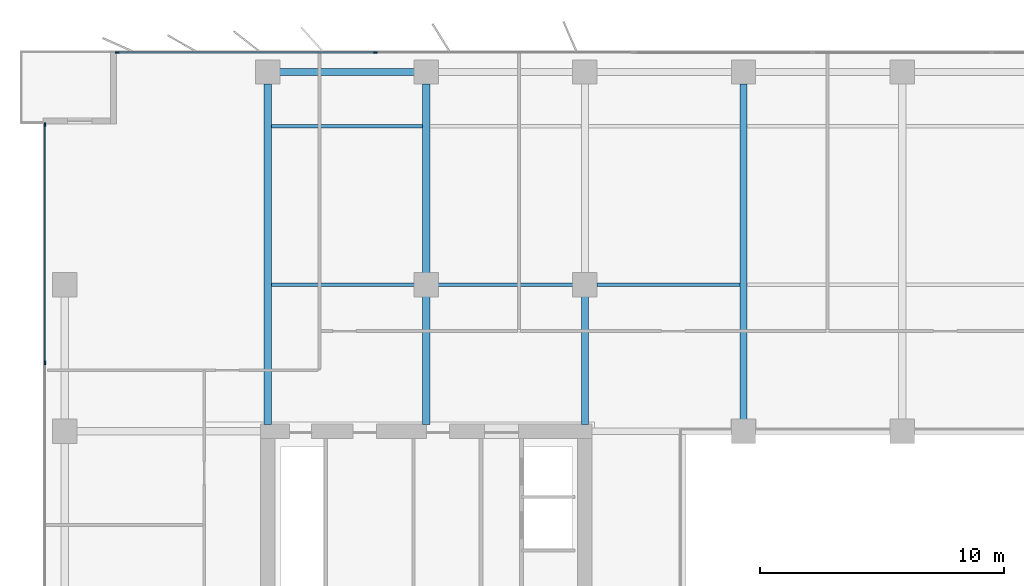
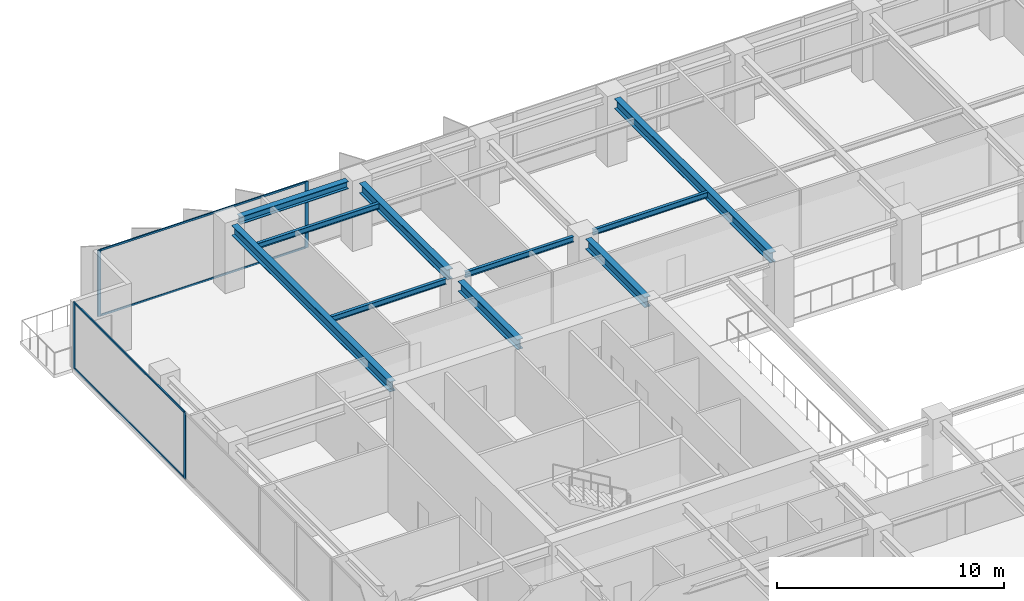
# One storey, part 8 of 22: 10 beams, 8 members, 2 elements without a shape of their own.
"""IFC4 building model written with IfcOpenShell, lengths in metres."""

from ifc_helpers import new_model, si_unit, direction, frame, origin, origin_2d, place, context, subcontext, project, spatial, rectangle, i_section, extrude, material, layer, layer_set, material_profile, profile_set, type_object, element, aggregate, save


model = new_model("IFC4")

# Units and contexts
model_context = context("Model", 3, precision=1e-05, world=origin(), true_north=direction((0.0, 1.0)))
body_context = subcontext(model_context, "Body", "Model", "MODEL_VIEW")
ifc_project = project(units=[si_unit("LENGTHUNIT", "METRE"), si_unit("AREAUNIT", "SQUARE_METRE"), si_unit("VOLUMEUNIT", "CUBIC_METRE"), si_unit("PLANEANGLEUNIT", "RADIAN"), si_unit("MASSUNIT", "GRAM", prefix="KILO")], contexts=[model_context])

# Site, building, storey
site_placement = place(None, origin())
site = spatial("IfcSite", under=ifc_project, at=site_placement, CompositionType="ELEMENT")
building_placement = place(site_placement, origin())
building = spatial("IfcBuilding", under=site, at=building_placement, Name="Putna Gate Headquarters", CompositionType="ELEMENT")
storey_placement = place(building_placement, frame((0.0, 0.0, 155.60009765625)))
storey = spatial("IfcBuildingStorey", under=building, at=storey_placement, Name="L38", CompositionType="ELEMENT", Elevation=155.60009765625)

# Beams
ifc_material_1 = material(Name="Steel S355J2", Category="steel")
ifc_material_profile_1 = material_profile(ifc_material_1, i_section(OverallWidth=0.300048828125, OverallDepth=0.550048828125, WebThickness=0.014892578125, FlangeThickness=0.029052734375, at=origin_2d()), Name="Steel S355J2")
ifc_profile_set_1 = profile_set([ifc_material_profile_1], Name="Steel S355J2")
beam_type_1 = type_object("IfcBeamType", Name="BM-GIRD-Z3-HEB550", PredefinedType="USERDEFINED", material=ifc_profile_set_1)
beam_1_placement = place(storey_placement, frame((13.0, 33.284912109375, 3.296875), z_axis=(0.0, 1.0, 0.0), x_axis=(-1.0, 0.0, 0.0)))
element("IfcBeam", 1, at=beam_1_placement, inside=storey, type_object=beam_type_1, Name="L38 North Primary Girder X13", ObjectType="GIRDER", PredefinedType="USERDEFINED", context=body_context, shape_type="SweptSolid", body=[
    extrude(i_section(OverallWidth=0.300048828125, OverallDepth=0.550048828125, WebThickness=0.014892578125, FlangeThickness=0.029052734375, at=origin_2d()), origin(), (0.0, 0.0, 1.0), 13.947021484375),
])
beam_2_placement = place(storey_placement, frame((19.5, 33.284912109375, 3.296875), z_axis=(0.0, 1.0, 0.0), x_axis=(-1.0, 0.0, 0.0)))
element("IfcBeam", 2, at=beam_2_placement, inside=storey, type_object=beam_type_1, Name="L38 North Primary Girder X19-1", ObjectType="GIRDER", PredefinedType="USERDEFINED", context=body_context, shape_type="SweptSolid", body=[
    extrude(i_section(OverallWidth=0.300048828125, OverallDepth=0.550048828125, WebThickness=0.014892578125, FlangeThickness=0.029052734375, at=origin_2d()), origin(), (0.0, 0.0, 1.0), 5.22705078125),
])
beam_3_placement = place(storey_placement, frame((19.5, 39.488037109375, 3.296875), z_axis=(0.0, 1.0, 0.0), x_axis=(-1.0, 0.0, 0.0)))
element("IfcBeam", 3, at=beam_3_placement, inside=storey, type_object=beam_type_1, Name="L38 North Primary Girder X19-2", ObjectType="GIRDER", PredefinedType="USERDEFINED", context=body_context, shape_type="SweptSolid", body=[
    extrude(i_section(OverallWidth=0.300048828125, OverallDepth=0.550048828125, WebThickness=0.014892578125, FlangeThickness=0.029052734375, at=origin_2d()), origin(), (0.0, 0.0, 1.0), 7.743896484375),
])
beam_4_placement = place(storey_placement, frame((26.0, 33.284912109375, 3.296875), z_axis=(0.0, 1.0, 0.0), x_axis=(-1.0, 0.0, 0.0)))
element("IfcBeam", 4, at=beam_4_placement, inside=storey, type_object=beam_type_1, Name="L38 North Primary Girder X26-1", ObjectType="GIRDER", PredefinedType="USERDEFINED", context=body_context, shape_type="SweptSolid", body=[
    extrude(i_section(OverallWidth=0.300048828125, OverallDepth=0.550048828125, WebThickness=0.014892578125, FlangeThickness=0.029052734375, at=origin_2d()), origin(), (0.0, 0.0, 1.0), 5.22705078125),
])
beam_5_placement = place(storey_placement, frame((32.5, 33.488037109375, 3.296875), z_axis=(0.0, 1.0, 0.0), x_axis=(-1.0, 0.0, 0.0)))
element("IfcBeam", 5, at=beam_5_placement, inside=storey, type_object=beam_type_1, Name="L38 North Primary Girder X32", ObjectType="GIRDER", PredefinedType="USERDEFINED", context=body_context, shape_type="SweptSolid", body=[
    extrude(i_section(OverallWidth=0.300048828125, OverallDepth=0.550048828125, WebThickness=0.014892578125, FlangeThickness=0.029052734375, at=origin_2d()), origin(), (0.0, 0.0, 1.0), 13.743896484375),
])
ifc_material_profile_2 = material_profile(ifc_material_1, i_section(OverallWidth=0.14990234375, OverallDepth=0.300048828125, WebThickness=0.007080078125, FlangeThickness=0.0107421875, at=origin_2d()), Name="Steel S355J2")
ifc_profile_set_2 = profile_set([ifc_material_profile_2], Name="Steel S355J2")
beam_type_2 = type_object("IfcBeamType", Name="BM-SEC-Z3-IPE300", PredefinedType="JOIST", material=ifc_profile_set_2)
beam_6_placement = place(storey_placement, frame((13.154052734375, 39.0, 3.421875), z_axis=(1.0, 0.0, 0.0), x_axis=(0.0, 1.0, 0.0)))
element("IfcBeam", 6, at=beam_6_placement, inside=storey, type_object=beam_type_2, Name="L38 North Secondary Beam 1", PredefinedType="JOIST", context=body_context, shape_type="SweptSolid", body=[
    extrude(i_section(OverallWidth=0.14990234375, OverallDepth=0.300048828125, WebThickness=0.007080078125, FlangeThickness=0.0107421875, at=origin_2d()), origin(), (0.0, 0.0, 1.0), 5.85791015625),
])
beam_7_placement = place(storey_placement, frame((13.154052734375, 45.5, 3.421875), z_axis=(1.0, 0.0, 0.0), x_axis=(0.0, 1.0, 0.0)))
element("IfcBeam", 7, at=beam_7_placement, inside=storey, type_object=beam_type_2, Name="L38 North Secondary Beam 1", PredefinedType="JOIST", context=body_context, shape_type="SweptSolid", body=[
    extrude(i_section(OverallWidth=0.14990234375, OverallDepth=0.300048828125, WebThickness=0.007080078125, FlangeThickness=0.0107421875, at=origin_2d()), origin(), (0.0, 0.0, 1.0), 6.19189453125),
])
beam_8_placement = place(storey_placement, frame((19.988037109375, 39.0, 3.421875), z_axis=(1.0, 0.0, 0.0), x_axis=(0.0, 1.0, 0.0)))
element("IfcBeam", 8, at=beam_8_placement, inside=storey, type_object=beam_type_2, Name="L38 North Secondary Beam 2", PredefinedType="JOIST", context=body_context, shape_type="SweptSolid", body=[
    extrude(i_section(OverallWidth=0.14990234375, OverallDepth=0.300048828125, WebThickness=0.007080078125, FlangeThickness=0.0107421875, at=origin_2d()), origin(), (0.0, 0.0, 1.0), 5.52392578125),
])
beam_9_placement = place(storey_placement, frame((26.488037109375, 39.0, 3.421875), z_axis=(1.0, 0.0, 0.0), x_axis=(0.0, 1.0, 0.0)))
element("IfcBeam", 9, at=beam_9_placement, inside=storey, type_object=beam_type_2, Name="L38 North Secondary Beam 3", PredefinedType="JOIST", context=body_context, shape_type="SweptSolid", body=[
    extrude(i_section(OverallWidth=0.14990234375, OverallDepth=0.300048828125, WebThickness=0.007080078125, FlangeThickness=0.0107421875, at=origin_2d()), origin(), (0.0, 0.0, 1.0), 5.85791015625),
])
ifc_material_profile_3 = material_profile(ifc_material_1, i_section(OverallWidth=0.300048828125, OverallDepth=0.39990234375, WebThickness=0.013427734375, FlangeThickness=0.02392578125, at=origin_2d()), Name="Steel S355J2")
ifc_profile_set_3 = profile_set([ifc_material_profile_3], Name="Steel S355J2")
beam_type_3 = type_object("IfcBeamType", Name="BM-SPAN-Z3-HEB400", PredefinedType="SPANDREL", material=ifc_profile_set_3)
beam_10_placement = place(storey_placement, frame((13.488037109375, 47.719970703125, 3.371826171875), z_axis=(1.0, 0.0, 0.0), x_axis=(0.0, 1.0, 0.0)))
element("IfcBeam", 10, at=beam_10_placement, inside=storey, type_object=beam_type_3, Name="L38 N Perimeter Spandrel 1", PredefinedType="SPANDREL", context=body_context, shape_type="SweptSolid", body=[
    extrude(i_section(OverallWidth=0.300048828125, OverallDepth=0.39990234375, WebThickness=0.013427734375, FlangeThickness=0.02392578125, at=origin_2d()), origin(), (0.0, 0.0, 1.0), 5.52392578125),
])

# Curtain wall, members
ifc_material_2 = material(Name="Anodised bronze aluminium curtain wall", Category="aluminium")
ifc_layer = layer(ifc_material_2, 0.159912109375)
ifc_layer_set = layer_set([ifc_layer], Name="Anodised bronze aluminium curtain wall")
curtain_wall_type = type_object("IfcCurtainWallType", Name="CW-SYS-Z3", PredefinedType="USERDEFINED", material=ifc_layer_set)
curtain_wall_1_placement = place(storey_placement, origin())
curtain_wall_1 = element("IfcCurtainWall", 11, at=curtain_wall_1_placement, inside=storey, type_object=curtain_wall_type, Name="L38 North West Curtain Wall", ObjectType="STICK CURTAIN WALL", PredefinedType="USERDEFINED")
ifc_material_3 = material(Name="Anodised bronze aluminium EN AW-6060", Category="aluminium")
ifc_material_profile_4 = material_profile(ifc_material_3, rectangle(XDim=0.06494140625, YDim=0.159912109375, at=origin_2d()), Name="Anodised bronze aluminium EN AW-6060")
ifc_profile_set_4 = profile_set([ifc_material_profile_4], Name="Anodised bronze aluminium EN AW-6060")
member_type_1 = type_object("IfcMemberType", Name="MULL-CWM-3", PredefinedType="MULLION", material=ifc_profile_set_4)
member_1_placement = place(storey_placement, frame((6.83251953125, 48.52001953125, 0.0), z_axis=(0.0, 0.0, 1.0), x_axis=(0.0, 1.0, 0.0)))
member_1 = element("IfcMember", 12, at=member_1_placement, type_object=member_type_1, Name="CWS-3 mullion 1", PredefinedType="MULLION", context=body_context, shape_type="SweptSolid", body=[
    extrude(rectangle(XDim=0.06494140625, YDim=0.159912109375, at=origin_2d()), origin(), (0.0, 0.0, 1.0), 3.572021484375),
])
member_2_placement = place(storey_placement, frame((17.39990234375, 48.52001953125, 0.0), z_axis=(0.0, 0.0, 1.0), x_axis=(0.0, 1.0, 0.0)))
member_2 = element("IfcMember", 13, at=member_2_placement, type_object=member_type_1, Name="CWS-3 mullion 2", PredefinedType="MULLION", context=body_context, shape_type="SweptSolid", body=[
    extrude(rectangle(XDim=0.06494140625, YDim=0.159912109375, at=origin_2d()), origin(), (0.0, 0.0, 1.0), 3.572021484375),
])

curtain_wall_2_placement = place(storey_placement, origin())
curtain_wall_2 = element("IfcCurtainWall", 14, at=curtain_wall_2_placement, inside=storey, type_object=curtain_wall_type, Name="L38 West Curtain Wall", ObjectType="STICK CURTAIN WALL", PredefinedType="USERDEFINED")
member_3_placement = place(storey_placement, frame((3.8798828125, 35.800048828125, 0.0), z_axis=(0.0, 0.0, 1.0), x_axis=(-1.0, 0.0, 0.0)))
member_3 = element("IfcMember", 15, at=member_3_placement, type_object=member_type_1, Name="CWS-3 mullion 4", PredefinedType="MULLION", context=body_context, shape_type="SweptSolid", body=[
    extrude(rectangle(XDim=0.06494140625, YDim=0.159912109375, at=origin_2d()), origin(), (0.0, 0.0, 1.0), 3.572021484375),
])
member_4_placement = place(storey_placement, frame((3.8798828125, 45.5673828125, 0.0), z_axis=(0.0, 0.0, 1.0), x_axis=(-1.0, 0.0, 0.0)))
member_4 = element("IfcMember", 16, at=member_4_placement, type_object=member_type_1, Name="CWS-3 mullion 5", PredefinedType="MULLION", context=body_context, shape_type="SweptSolid", body=[
    extrude(rectangle(XDim=0.06494140625, YDim=0.159912109375, at=origin_2d()), origin(), (0.0, 0.0, 1.0), 3.572021484375),
])

# Member
ifc_material_profile_5 = material_profile(ifc_material_3, rectangle(XDim=0.06005859375, YDim=0.10009765625, at=origin_2d()), Name="Anodised bronze aluminium EN AW-6060")
ifc_profile_set_5 = profile_set([ifc_material_profile_5], Name="Anodised bronze aluminium EN AW-6060")
member_type_2 = type_object("IfcMemberType", Name="TRAN-CWT-3", PredefinedType="USERDEFINED", material=ifc_profile_set_5)
member_5_placement = place(storey_placement, frame((6.864990234375, 48.52001953125, 0.02978515625), z_axis=(1.0, 0.0, 0.0), x_axis=(0.0, 1.0, 0.0)))
member_5 = element("IfcMember", 17, at=member_5_placement, type_object=member_type_2, Name="CWS-3 transom 1.1", ObjectType="TRANSOM", PredefinedType="USERDEFINED", context=body_context, shape_type="SweptSolid", body=[
    extrude(rectangle(XDim=0.06005859375, YDim=0.10009765625, at=origin_2d()), origin(), (0.0, 0.0, 1.0), 10.50244140625),
])

member_6_placement = place(storey_placement, frame((6.864990234375, 48.52001953125, 3.5419921875), z_axis=(1.0, 0.0, 0.0), x_axis=(0.0, 1.0, 0.0)))
member_6 = element("IfcMember", 18, at=member_6_placement, type_object=member_type_2, Name="CWS-3 transom 1.2", ObjectType="TRANSOM", PredefinedType="USERDEFINED", context=body_context, shape_type="SweptSolid", body=[
    extrude(rectangle(XDim=0.06005859375, YDim=0.10009765625, at=origin_2d()), origin(), (0.0, 0.0, 1.0), 10.50244140625),
])

aggregate(curtain_wall_1, [member_1, member_2, member_5, member_6])

member_7_placement = place(storey_placement, frame((3.8798828125, 35.83251953125, 0.02978515625), z_axis=(0.0, 1.0, 0.0), x_axis=(-1.0, 0.0, 0.0)))
member_7 = element("IfcMember", 19, at=member_7_placement, type_object=member_type_2, Name="CWS-3 transom 4.1", ObjectType="TRANSOM", PredefinedType="USERDEFINED", context=body_context, shape_type="SweptSolid", body=[
    extrude(rectangle(XDim=0.06005859375, YDim=0.10009765625, at=origin_2d()), origin(), (0.0, 0.0, 1.0), 9.702392578125),
])

member_8_placement = place(storey_placement, frame((3.8798828125, 35.83251953125, 3.5419921875), z_axis=(0.0, 1.0, 0.0), x_axis=(-1.0, 0.0, 0.0)))
member_8 = element("IfcMember", 20, at=member_8_placement, type_object=member_type_2, Name="CWS-3 transom 4.2", ObjectType="TRANSOM", PredefinedType="USERDEFINED", context=body_context, shape_type="SweptSolid", body=[
    extrude(rectangle(XDim=0.06005859375, YDim=0.10009765625, at=origin_2d()), origin(), (0.0, 0.0, 1.0), 9.702392578125),
])

aggregate(curtain_wall_2, [member_3, member_4, member_7, member_8])

save(model, "model.ifc")
